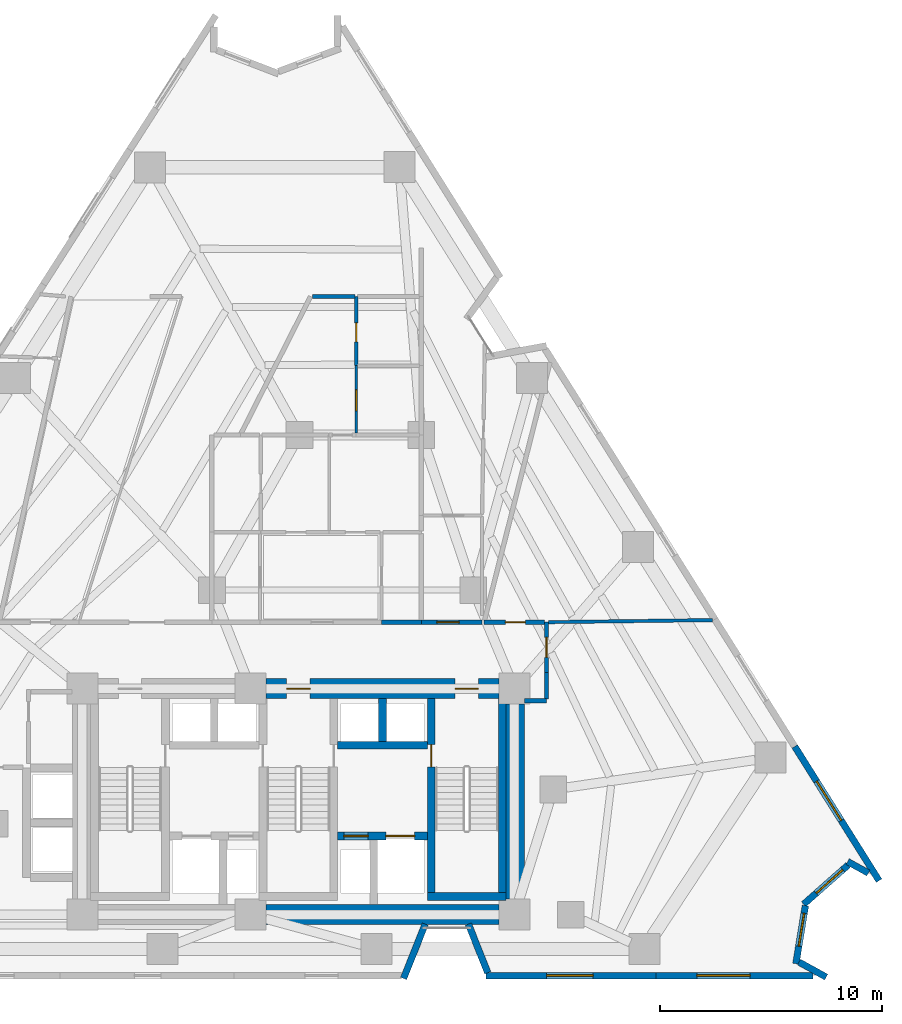
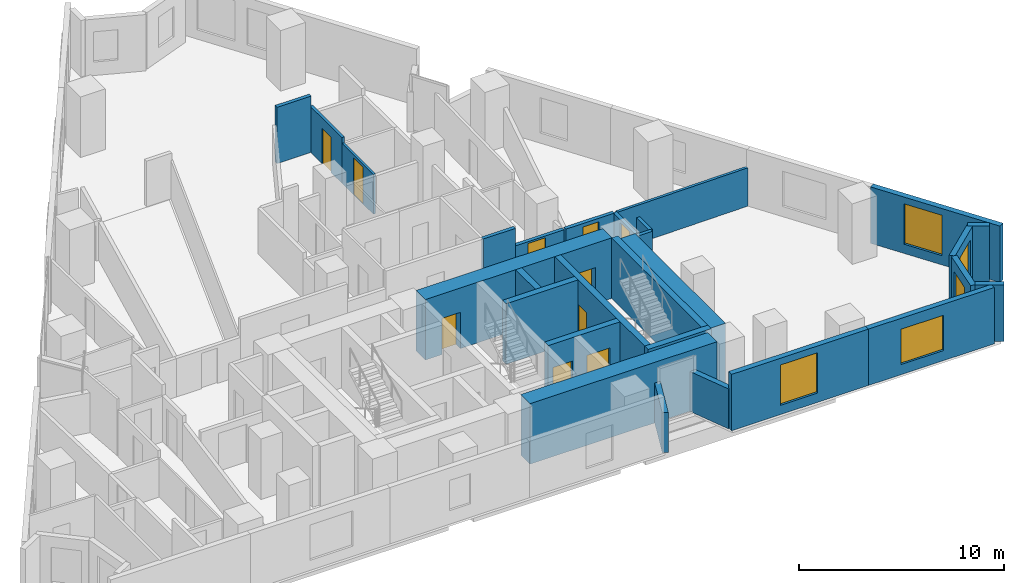
# One storey, part 9 of 14: 28 walls, 10 doors, 5 windows, 15 openings.
"""IFC4 building model written with IfcOpenShell, lengths in metres."""

from ifc_helpers import new_model, si_unit, direction, frame, frame_2d, origin, place, context, subcontext, project, spatial, rectangle, extrude, material, layer, layer_set, type_object, element, fill, save


model = new_model("IFC4")

# Units and contexts
model_context = context("Model", 3, precision=1e-05, world=origin(), true_north=direction((0.0, 1.0)))
body_context = subcontext(model_context, "Body", "Model", "MODEL_VIEW")
ifc_project = project(units=[si_unit("LENGTHUNIT", "METRE"), si_unit("AREAUNIT", "SQUARE_METRE"), si_unit("VOLUMEUNIT", "CUBIC_METRE"), si_unit("PLANEANGLEUNIT", "RADIAN"), si_unit("MASSUNIT", "GRAM", prefix="KILO")], contexts=[model_context])

# Site, building, storey
site_placement = place(None, origin())
site = spatial("IfcSite", under=ifc_project, at=site_placement, CompositionType="ELEMENT")
building_placement = place(site_placement, origin())
building = spatial("IfcBuilding", under=site, at=building_placement, Name="Almagre Mirador Tower", CompositionType="ELEMENT")
storey_placement = place(building_placement, frame((0.0, 0.0, 60.60009765625)))
storey = spatial("IfcBuildingStorey", under=building, at=storey_placement, Name="L14", CompositionType="ELEMENT", Elevation=60.60009765625)

# Wall, opening, window
ifc_material_1 = material(Name="Precast concrete C50/60", Category="concrete")
ifc_layer_1 = layer(ifc_material_1, 0.300048828125)
ifc_layer_set_1 = layer_set([ifc_layer_1], Name="Precast concrete C50/60")
wall_type_1 = type_object("IfcWallType", Name="WAL-EXT-300", PredefinedType="SOLIDWALL", material=ifc_layer_set_1)
wall_1_placement = place(storey_placement, frame((59.703125, 12.142578125, 0.0), z_axis=(0.0, 0.0, 1.0), x_axis=(0.531917824745, -0.846795977623, 0.0)))
wall_1 = element("IfcWall", 1, at=wall_1_placement, inside=storey, type_object=wall_type_1, Name="L14 expressed almagre precast frame wall 17", PredefinedType="SOLIDWALL", context=body_context, shape_type="SweptSolid", body=[
    extrude(rectangle(XDim=7.154052734375, YDim=0.300048828125, at=frame_2d((3.5771484375, 0.0))), origin(), (0.0, 0.0, 1.0), 3.349853515625),
])
opening_1_placement = place(wall_1_placement, frame((1.85009765625, 0.0, 0.550048828125)))
opening_1 = element("IfcOpeningElement", 2, at=opening_1_placement, cuts=wall_1, Name="Opening WN-05", PredefinedType="OPENING", context=body_context, shape_type="SweptSolid", body=[
    extrude(rectangle(XDim=2.10009765625, YDim=2.39990234375, at=frame_2d((1.050048828125, 1.199951171875))), frame((0.0, 0.159902, 0.0), z_axis=(0.0, -1.0, 0.0), x_axis=(1.0, 0.0, 0.0)), (0.0, 0.0, 1.0), 0.320049),
])
ifc_material_2 = material(Name="Dark solar-control laminated hurricane glass", Category="glass")
window_type_1 = type_object("IfcWindowType", Name="WIN-2100X2400", PartitioningType="DOUBLE_PANEL_VERTICAL", PredefinedType="WINDOW", material=ifc_material_2)
window_1_placement = place(opening_1_placement, origin())
window_1 = element("IfcWindow", 3, at=window_1_placement, inside=storey, type_object=window_type_1, Name="L14 recessed hurricane window L14-RST-E", OverallHeight=2.39990234375, OverallWidth=2.10009765625, PartitioningType="SINGLE_PANEL", PredefinedType="WINDOW", context=body_context, shape_type="SweptSolid", body=[
    extrude(rectangle(XDim=2.10009765625, YDim=2.39990234375, at=frame_2d((1.050048828125, 1.199951171875))), frame((0.0, 0.030029296875, 0.0), z_axis=(0.0, -1.0, 0.0), x_axis=(1.0, 0.0, 0.0)), (0.0, 0.0, 1.0), 0.06005859375),
])
fill(opening_1, window_1)

# Wall
wall_2_placement = place(storey_placement, frame((63.027099609375, 6.427978515625, 0.0), z_axis=(0.0, 0.0, 1.0), x_axis=(-0.875134767643, 0.483879260211, 0.0)))
element("IfcWall", 4, at=wall_2_placement, inside=storey, type_object=wall_type_1, Name="L14 expressed almagre precast frame wall 18", PredefinedType="SOLIDWALL", context=body_context, shape_type="SweptSolid", body=[
    extrude(rectangle(XDim=1.070068359375, YDim=0.300048828125, at=frame_2d((0.53515625, 0.0))), origin(), (0.0, 0.0, 1.0), 3.349853515625),
])

# Wall, opening, window
wall_3_placement = place(storey_placement, frame((62.11181640625, 6.788818359375, 0.0), z_axis=(0.0, 0.0, 1.0), x_axis=(-0.749880449764, -0.661573360303, 0.0)))
wall_3 = element("IfcWall", 5, at=wall_3_placement, inside=storey, type_object=wall_type_1, Name="L14 expressed almagre precast frame wall 19", PredefinedType="SOLIDWALL", context=body_context, shape_type="SweptSolid", body=[
    extrude(rectangle(XDim=2.67626953125, YDim=0.300048828125, at=frame_2d((1.338134765625, 0.0))), origin(), (0.0, 0.0, 1.0), 3.349853515625),
])
opening_2_placement = place(wall_3_placement, frame((0.324951171875, 0.0, 0.550048828125)))
opening_2 = element("IfcOpeningElement", 6, at=opening_2_placement, cuts=wall_3, Name="Opening WN-06", PredefinedType="OPENING", context=body_context, shape_type="SweptSolid", body=[
    extrude(rectangle(XDim=1.60009765625, YDim=2.199951171875, at=frame_2d((0.800048828125, 1.10009765625))), frame((0.0, 0.159902, 0.0), z_axis=(0.0, -1.0, 0.0), x_axis=(1.0, 0.0, 0.0)), (0.0, 0.0, 1.0), 0.320049),
])
ifc_material_3 = material(Name="Dark solar-control laminated hurricane glass", Category="glass")
window_type_2 = type_object("IfcWindowType", Name="WIN-1600X2200", PartitioningType="DOUBLE_PANEL_VERTICAL", PredefinedType="WINDOW", material=ifc_material_3)
window_2_placement = place(opening_2_placement, origin())
window_2 = element("IfcWindow", 7, at=window_2_placement, inside=storey, type_object=window_type_2, Name="L14 recessed hurricane window L14-RST-E", OverallHeight=2.199951171875, OverallWidth=1.60009765625, PartitioningType="SINGLE_PANEL", PredefinedType="WINDOW", context=body_context, shape_type="SweptSolid", body=[
    extrude(rectangle(XDim=1.60009765625, YDim=2.199951171875, at=frame_2d((0.800048828125, 1.10009765625))), frame((0.0, 0.030029296875, 0.0), z_axis=(0.0, -1.0, 0.0), x_axis=(1.0, 0.0, 0.0)), (0.0, 0.0, 1.0), 0.06005859375),
])
fill(opening_2, window_2)

wall_4_placement = place(storey_placement, frame((60.18505859375, 4.9580078125, 0.0), z_axis=(0.0, 0.0, 1.0), x_axis=(-0.16141694699, -0.986886300049, 0.0)))
wall_4 = element("IfcWall", 8, at=wall_4_placement, inside=storey, type_object=wall_type_1, Name="L14 expressed almagre precast frame wall 20", PredefinedType="SOLIDWALL", context=body_context, shape_type="SweptSolid", body=[
    extrude(rectangle(XDim=2.656005859375, YDim=0.300048828125, at=frame_2d((1.328125, 0.0))), origin(), (0.0, 0.0, 1.0), 3.349853515625),
])
opening_3_placement = place(wall_4_placement, frame((0.35498046875, 0.0, 0.60009765625)))
opening_3 = element("IfcOpeningElement", 9, at=opening_3_placement, cuts=wall_4, Name="Opening WN-03", PredefinedType="OPENING", context=body_context, shape_type="SweptSolid", body=[
    extrude(rectangle(XDim=1.5, YDim=2.10009765625, at=frame_2d((0.75, 1.050048828125))), frame((0.0, 0.159902, 0.0), z_axis=(0.0, -1.0, 0.0), x_axis=(1.0, 0.0, 0.0)), (0.0, 0.0, 1.0), 0.320049),
])
ifc_material_4 = material(Name="Dark solar-control laminated hurricane glass", Category="glass")
window_type_3 = type_object("IfcWindowType", Name="WIN-1500X2100", PartitioningType="DOUBLE_PANEL_VERTICAL", PredefinedType="WINDOW", material=ifc_material_4)
window_3_placement = place(opening_3_placement, origin())
window_3 = element("IfcWindow", 10, at=window_3_placement, inside=storey, type_object=window_type_3, Name="L14 recessed hurricane window L14-RST-E", OverallHeight=2.10009765625, OverallWidth=1.5, PartitioningType="SINGLE_PANEL", PredefinedType="WINDOW", context=body_context, shape_type="SweptSolid", body=[
    extrude(rectangle(XDim=1.5, YDim=2.10009765625, at=frame_2d((0.75, 1.050048828125))), frame((0.0, 0.030029296875, 0.0), z_axis=(0.0, -1.0, 0.0), x_axis=(1.0, 0.0, 0.0)), (0.0, 0.0, 1.0), 0.06005859375),
])
fill(opening_3, window_3)

# Wall
wall_5_placement = place(storey_placement, frame((59.897216796875, 2.40966796875, 0.0), z_axis=(0.0, 0.0, 1.0), x_axis=(0.875216279123, -0.483731810777, 0.0)))
element("IfcWall", 11, at=wall_5_placement, inside=storey, type_object=wall_type_1, Name="L14 expressed almagre precast frame wall 21", PredefinedType="SOLIDWALL", context=body_context, shape_type="SweptSolid", body=[
    extrude(rectangle(XDim=1.400146484375, YDim=0.300048828125, at=frame_2d((0.7001953125, 0.0))), origin(), (0.0, 0.0, 1.0), 3.349853515625),
])

# Wall, opening, window
wall_6_placement = place(storey_placement, frame((60.534912109375, 1.800048828125, 0.0), z_axis=(0.0, 0.0, 1.0), x_axis=(-1.0, 0.0, 0.0)))
wall_6 = element("IfcWall", 12, at=wall_6_placement, inside=storey, type_object=wall_type_1, Name="L14 expressed almagre precast frame wall 22", PredefinedType="SOLIDWALL", context=body_context, shape_type="SweptSolid", body=[
    extrude(rectangle(XDim=7.0849609375, YDim=0.300048828125, at=frame_2d((3.54248046875, 0.0))), origin(), (0.0, 0.0, 1.0), 3.349853515625),
])
opening_4_placement = place(wall_6_placement, frame((2.844970703125, 0.0, 0.60009765625)))
opening_4 = element("IfcOpeningElement", 13, at=opening_4_placement, cuts=wall_6, Name="Opening WN-02", PredefinedType="OPENING", context=body_context, shape_type="SweptSolid", body=[
    extrude(rectangle(XDim=2.39990234375, YDim=2.10009765625, at=frame_2d((1.199951171875, 1.050048828125))), frame((0.0, 0.159902, 0.0), z_axis=(0.0, -1.0, 0.0), x_axis=(1.0, 0.0, 0.0)), (0.0, 0.0, 1.0), 0.320049),
])
ifc_material_5 = material(Name="Dark solar-control laminated hurricane glass", Category="glass")
window_type_4 = type_object("IfcWindowType", Name="WIN-2400X2100", PartitioningType="TRIPLE_PANEL_VERTICAL", PredefinedType="WINDOW", material=ifc_material_5)
window_4_placement = place(opening_4_placement, origin())
window_4 = element("IfcWindow", 14, at=window_4_placement, inside=storey, type_object=window_type_4, Name="L14 recessed hurricane window L14-UC-LV", OverallHeight=2.10009765625, OverallWidth=2.39990234375, PartitioningType="SINGLE_PANEL", PredefinedType="WINDOW", context=body_context, shape_type="SweptSolid", body=[
    extrude(rectangle(XDim=2.39990234375, YDim=2.10009765625, at=frame_2d((1.199951171875, 1.050048828125))), frame((0.0, 0.030029296875, 0.0), z_axis=(0.0, -1.0, 0.0), x_axis=(1.0, 0.0, 0.0)), (0.0, 0.0, 1.0), 0.06005859375),
])
fill(opening_4, window_4)

wall_7_placement = place(storey_placement, frame((53.449951171875, 1.800048828125, 0.0), z_axis=(0.0, 0.0, 1.0), x_axis=(-1.0, 0.0, 0.0)))
wall_7 = element("IfcWall", 15, at=wall_7_placement, inside=storey, type_object=wall_type_1, Name="L14 expressed almagre precast frame wall 23", PredefinedType="SOLIDWALL", context=body_context, shape_type="SweptSolid", body=[
    extrude(rectangle(XDim=7.68994140625, YDim=0.300048828125, at=frame_2d((3.844970703125, 0.0))), origin(), (0.0, 0.0, 1.0), 3.349853515625),
])
opening_5_placement = place(wall_7_placement, frame((2.85009765625, 0.0, 0.550048828125)))
opening_5 = element("IfcOpeningElement", 16, at=opening_5_placement, cuts=wall_7, Name="Opening WN-05", PredefinedType="OPENING", context=body_context, shape_type="SweptSolid", body=[
    extrude(rectangle(XDim=2.10009765625, YDim=2.39990234375, at=frame_2d((1.050048828125, 1.199951171875))), frame((0.0, 0.159902, 0.0), z_axis=(0.0, -1.0, 0.0), x_axis=(1.0, 0.0, 0.0)), (0.0, 0.0, 1.0), 0.320049),
])
window_5_placement = place(opening_5_placement, origin())
window_5 = element("IfcWindow", 17, at=window_5_placement, inside=storey, type_object=window_type_1, Name="L14 recessed hurricane window L14-UC-MB", OverallHeight=2.39990234375, OverallWidth=2.10009765625, PartitioningType="SINGLE_PANEL", PredefinedType="WINDOW", context=body_context, shape_type="SweptSolid", body=[
    extrude(rectangle(XDim=2.10009765625, YDim=2.39990234375, at=frame_2d((1.050048828125, 1.199951171875))), frame((0.0, 0.030029296875, 0.0), z_axis=(0.0, -1.0, 0.0), x_axis=(1.0, 0.0, 0.0)), (0.0, 0.0, 1.0), 0.06005859375),
])
fill(opening_5, window_5)

# Walls
wall_8_placement = place(storey_placement, frame((45.85009765625, 1.92529296875, 0.0), z_axis=(0.0, 0.0, 1.0), x_axis=(-0.36946923074, 0.92924296475, 0.0)))
element("IfcWall", 18, at=wall_8_placement, inside=storey, type_object=wall_type_1, Name="L14 expressed almagre precast frame wall 24", PredefinedType="SOLIDWALL", context=body_context, shape_type="SweptSolid", body=[
    extrude(rectangle(XDim=2.366943359375, YDim=0.300048828125, at=frame_2d((1.18359375, 0.0))), origin(), (0.0, 0.0, 1.0), 2.375),
])
wall_9_placement = place(storey_placement, frame((43.0244140625, 4.124755859375, 0.0), z_axis=(0.0, 0.0, 1.0), x_axis=(-0.369477840539, -0.929239541426, 0.0)))
element("IfcWall", 19, at=wall_9_placement, inside=storey, type_object=wall_type_1, Name="L14 expressed almagre precast frame wall 25", PredefinedType="SOLIDWALL", context=body_context, shape_type="SweptSolid", body=[
    extrude(rectangle(XDim=2.641845703125, YDim=0.300048828125, at=frame_2d((1.32080078125, 0.0))), origin(), (0.0, 0.0, 1.0), 2.375),
])

# Wall, opening, door
ifc_material_6 = material(Name="Gypsum acoustic stud partition", Category="other")
ifc_layer_2 = layer(ifc_material_6, 0.125)
ifc_layer_set_2 = layer_set([ifc_layer_2], Name="Gypsum acoustic stud partition")
wall_type_2 = type_object("IfcWallType", Name="WAL-PRT-125-UTL", PredefinedType="PARTITIONING", material=ifc_layer_set_2)
wall_10_placement = place(storey_placement, frame((39.909912109375, 26.284912109375, 0.0), z_axis=(0.0, 0.0, 1.0), x_axis=(0.0, 1.0, 0.0)))
wall_10 = element("IfcWall", 20, at=wall_10_placement, inside=storey, type_object=wall_type_2, Name="L14 interior partition 077", PredefinedType="PARTITIONING", context=body_context, shape_type="SweptSolid", body=[
    extrude(rectangle(XDim=3.045166015625, YDim=0.125, at=frame_2d((1.5224609375, 0.0))), origin(), (0.0, 0.0, 1.0), 2.369873046875),
])
opening_6_placement = place(wall_10_placement, frame((1.0048828125, 0.0, 0.0)))
opening_6 = element("IfcOpeningElement", 21, at=opening_6_placement, cuts=wall_10, Name="Opening UD-01", PredefinedType="OPENING", context=body_context, shape_type="SweptSolid", body=[
    extrude(rectangle(XDim=0.949951171875, YDim=2.199951171875, at=frame_2d((0.47509765625, 1.10009765625))), frame((0.0, 0.0725, 0.0), z_axis=(0.0, -1.0, 0.0), x_axis=(1.0, 0.0, 0.0)), (0.0, 0.0, 1.0), 0.145),
])
ifc_material_7 = material(Name="Solid American walnut timber", Category="wood")
door_type_1 = type_object("IfcDoorType", Name="DOR-UNR-950X2200", OperationType="NOTDEFINED", PredefinedType="DOOR", material=ifc_material_7)
door_1_placement = place(opening_6_placement, origin())
door_1 = element("IfcDoor", 22, at=door_1_placement, inside=storey, type_object=door_type_1, Name="DR-0481 L14 interior door L14-UM-ST to L14-UM-KT", OperationType="SINGLE_SWING_RIGHT", OverallHeight=2.199951171875, OverallWidth=0.949951171875, PredefinedType="DOOR", context=body_context, shape_type="SweptSolid", body=[
    extrude(rectangle(XDim=0.949951171875, YDim=2.199951171875, at=frame_2d((0.47509765625, 1.10009765625))), frame((0.0, 0.02490234375, 0.0), z_axis=(0.0, -1.0, 0.0), x_axis=(1.0, 0.0, 0.0)), (0.0, 0.0, 1.0), 0.050048828125),
])
fill(opening_6, door_1)

# Wall
ifc_material_8 = material(Name="Gypsum acoustic stud partition", Category="other")
ifc_layer_3 = layer(ifc_material_8, 0.14990234375)
ifc_layer_set_3 = layer_set([ifc_layer_3], Name="Gypsum acoustic stud partition")
wall_type_3 = type_object("IfcWallType", Name="WAL-PRT-150-STD", PredefinedType="PARTITIONING", material=ifc_layer_set_3)
wall_11_placement = place(storey_placement, frame((55.98193359375, 17.844970703125, 0.0), z_axis=(0.0, 0.0, 1.0), x_axis=(-0.999919274462, -0.012706083592, 0.0)))
element("IfcWall", 23, at=wall_11_placement, inside=storey, type_object=wall_type_3, Name="L14 interior partition 040", PredefinedType="PARTITIONING", context=body_context, shape_type="SweptSolid", body=[
    extrude(rectangle(XDim=7.3974609375, YDim=0.14990234375, at=frame_2d((3.69873046875, 0.0))), origin(), (0.0, 0.0, 1.0), 2.27880859375),
])

# Wall, opening, door
wall_12_placement = place(storey_placement, frame((39.909912109375, 29.330078125, 0.0), z_axis=(0.0, 0.0, 1.0), x_axis=(0.0, 1.0, 0.0)))
wall_12 = element("IfcWall", 24, at=wall_12_placement, inside=storey, type_object=wall_type_3, Name="L14 interior partition 078", PredefinedType="PARTITIONING", context=body_context, shape_type="SweptSolid", body=[
    extrude(rectangle(XDim=3.119873046875, YDim=0.14990234375, at=frame_2d((1.56005859375, 0.0))), origin(), (0.0, 0.0, 1.0), 2.7119140625),
])
opening_7_placement = place(wall_12_placement, frame((1.076416015625, 0.0, 0.0)))
opening_7 = element("IfcOpeningElement", 25, at=opening_7_placement, cuts=wall_12, Name="Opening UD-04", PredefinedType="OPENING", context=body_context, shape_type="SweptSolid", body=[
    extrude(rectangle(XDim=0.85009765625, YDim=2.10009765625, at=frame_2d((0.425048828125, 1.050048828125))), frame((0.0, 0.084951, 0.0), z_axis=(0.0, -1.0, 0.0), x_axis=(1.0, 0.0, 0.0)), (0.0, 0.0, 1.0), 0.169902),
])
ifc_material_9 = material(Name="Moisture-resistant oak timber", Category="wood")
door_type_2 = type_object("IfcDoorType", Name="DOR-UNR-850X2100", OperationType="NOTDEFINED", PredefinedType="DOOR", material=ifc_material_9)
door_2_placement = place(opening_7_placement, origin())
door_2 = element("IfcDoor", 26, at=door_2_placement, inside=storey, type_object=door_type_2, Name="DR-0482 L14 interior door L14-UM-ST to L14-UM-BT", OperationType="SINGLE_SWING_LEFT", OverallHeight=2.10009765625, OverallWidth=0.85009765625, PredefinedType="DOOR", context=body_context, shape_type="SweptSolid", body=[
    extrude(rectangle(XDim=0.85009765625, YDim=2.10009765625, at=frame_2d((0.425048828125, 1.050048828125))), frame((0.0, 0.02490234375, 0.0), z_axis=(0.0, -1.0, 0.0), x_axis=(1.0, 0.0, 0.0)), (0.0, 0.0, 1.0), 0.050048828125),
])
fill(opening_7, door_2)

# Wall
ifc_material_10 = material(Name="Gypsum acoustic stud partition", Category="other")
ifc_layer_4 = layer(ifc_material_10, 0.199951171875)
ifc_layer_set_4 = layer_set([ifc_layer_4], Name="Gypsum acoustic stud partition")
wall_type_4 = type_object("IfcWallType", Name="WAL-PRT-200-EI60", PredefinedType="PARTITIONING", material=ifc_layer_set_4)
wall_13_placement = place(storey_placement, frame((47.5, 14.199951171875, 0.0), z_axis=(0.0, 0.0, 1.0), x_axis=(1.0, 0.0, 0.0)))
element("IfcWall", 27, at=wall_13_placement, inside=storey, type_object=wall_type_4, Name="L14 interior partition 003", PredefinedType="PARTITIONING", context=body_context, shape_type="SweptSolid", body=[
    extrude(rectangle(XDim=1.0, YDim=0.199951171875, at=frame_2d((0.5, 0.0))), origin(), (0.0, 0.0, 1.0), 3.349853515625),
])

# Wall, opening, door
wall_14_placement = place(storey_placement, frame((48.5, 15.47998046875, 0.0), z_axis=(0.0, 0.0, 1.0), x_axis=(0.0, 1.0, 0.0)))
wall_14 = element("IfcWall", 28, at=wall_14_placement, inside=storey, type_object=wall_type_4, Name="L14 interior partition 007", PredefinedType="PARTITIONING", context=body_context, shape_type="SweptSolid", body=[
    extrude(rectangle(XDim=2.27001953125, YDim=0.199951171875, at=frame_2d((1.135009765625, 0.0))), origin(), (0.0, 0.0, 1.0), 2.27880859375),
])
opening_8_placement = place(wall_14_placement, frame((0.68505859375, 0.0, 0.0)))
opening_8 = element("IfcOpeningElement", 29, at=opening_8_placement, cuts=wall_14, Name="Opening ID-03", PredefinedType="OPENING", context=body_context, shape_type="SweptSolid", body=[
    extrude(rectangle(XDim=0.89990234375, YDim=2.10009765625, at=frame_2d((0.449951171875, 1.050048828125))), frame((0.0, 0.110098, 0.0), z_axis=(0.0, -1.0, 0.0), x_axis=(1.0, 0.0, 0.0)), (0.0, 0.0, 1.0), 0.219951),
])
ifc_material_11 = material(Name="Fire-rated hollow steel", Category="steel")
door_type_3 = type_object("IfcDoorType", Name="DOR-FD60-900X2100", OperationType="NOTDEFINED", PredefinedType="DOOR", material=ifc_material_11)
door_3_placement = place(opening_8_placement, origin())
door_3 = element("IfcDoor", 30, at=door_3_placement, inside=storey, type_object=door_type_3, Name="DR-0458 L14 interior door L14-RCOR to L14-RST-E", OperationType="SINGLE_SWING_RIGHT", OverallHeight=2.10009765625, OverallWidth=0.89990234375, PredefinedType="DOOR", context=body_context, shape_type="SweptSolid", body=[
    extrude(rectangle(XDim=0.89990234375, YDim=2.10009765625, at=frame_2d((0.449951171875, 1.050048828125))), frame((0.0, 0.02490234375, 0.0), z_axis=(0.0, -1.0, 0.0), x_axis=(1.0, 0.0, 0.0)), (0.0, 0.0, 1.0), 0.050048828125),
])
fill(opening_8, door_3)

# Wall
wall_15_placement = place(storey_placement, frame((42.85009765625, 17.75, 0.0), z_axis=(0.0, 0.0, 1.0), x_axis=(-1.0, 0.0, 0.0)))
element("IfcWall", 31, at=wall_15_placement, inside=storey, type_object=wall_type_4, Name="L14 interior partition 013", PredefinedType="PARTITIONING", context=body_context, shape_type="SweptSolid", body=[
    extrude(rectangle(XDim=1.800048828125, YDim=0.199951171875, at=frame_2d((0.89990234375, 0.0))), origin(), (0.0, 0.0, 1.0), 3.349853515625),
])

# Wall, opening, door
wall_16_placement = place(storey_placement, frame((45.590087890625, 17.75, 0.0), z_axis=(0.0, 0.0, 1.0), x_axis=(-1.0, 0.0, 0.0)))
wall_16 = element("IfcWall", 32, at=wall_16_placement, inside=storey, type_object=wall_type_4, Name="L14 interior partition 015", PredefinedType="PARTITIONING", context=body_context, shape_type="SweptSolid", body=[
    extrude(rectangle(XDim=2.739990234375, YDim=0.199951171875, at=frame_2d((1.3701171875, 0.0))), origin(), (0.0, 0.0, 1.0), 2.308837890625),
])
opening_9_placement = place(wall_16_placement, frame((1.03857421875, 0.0, 0.0)))
opening_9 = element("IfcOpeningElement", 33, at=opening_9_placement, cuts=wall_16, Name="Opening ID-01", PredefinedType="OPENING", context=body_context, shape_type="SweptSolid", body=[
    extrude(rectangle(XDim=1.0, YDim=2.199951171875, at=frame_2d((0.5, 1.10009765625))), frame((0.0, 0.110098, 0.0), z_axis=(0.0, -1.0, 0.0), x_axis=(1.0, 0.0, 0.0)), (0.0, 0.0, 1.0), 0.219951),
])
ifc_material_12 = material(Name="Fire-rated walnut timber", Category="wood")
door_type_4 = type_object("IfcDoorType", Name="DOR-FD60-1000X2200", OperationType="NOTDEFINED", PredefinedType="DOOR", material=ifc_material_12)
door_4_placement = place(opening_9_placement, origin())
door_4 = element("IfcDoor", 34, at=door_4_placement, inside=storey, type_object=door_type_4, Name="DR-0478 L14 interior door L14-RCOR to L14-UK-ST", OperationType="SINGLE_SWING_LEFT", OverallHeight=2.199951171875, OverallWidth=1.0, PredefinedType="DOOR", context=body_context, shape_type="SweptSolid", body=[
    extrude(rectangle(XDim=1.0, YDim=2.199951171875, at=frame_2d((0.5, 1.10009765625))), frame((0.0, 0.02490234375, 0.0), z_axis=(0.0, -1.0, 0.0), x_axis=(1.0, 0.0, 0.0)), (0.0, 0.0, 1.0), 0.050048828125),
])
fill(opening_9, door_4)

wall_17_placement = place(storey_placement, frame((48.4150390625, 17.75, 0.0), z_axis=(0.0, 0.0, 1.0), x_axis=(-1.0, 0.0, 0.0)))
wall_17 = element("IfcWall", 35, at=wall_17_placement, inside=storey, type_object=wall_type_4, Name="L14 interior partition 016", PredefinedType="PARTITIONING", context=body_context, shape_type="SweptSolid", body=[
    extrude(rectangle(XDim=2.735107421875, YDim=0.199951171875, at=frame_2d((1.36767578125, 0.0))), origin(), (0.0, 0.0, 1.0), 2.308837890625),
])
opening_10_placement = place(wall_17_placement, frame((0.875, 0.0, 0.0)))
opening_10 = element("IfcOpeningElement", 36, at=opening_10_placement, cuts=wall_17, Name="Opening ID-03", PredefinedType="OPENING", context=body_context, shape_type="SweptSolid", body=[
    extrude(rectangle(XDim=0.89990234375, YDim=2.10009765625, at=frame_2d((0.449951171875, 1.050048828125))), frame((0.0, 0.110098, 0.0), z_axis=(0.0, -1.0, 0.0), x_axis=(1.0, 0.0, 0.0)), (0.0, 0.0, 1.0), 0.219951),
])
door_5_placement = place(opening_10_placement, origin())
door_5 = element("IfcDoor", 37, at=door_5_placement, inside=storey, type_object=door_type_3, Name="DR-0461 L14 interior door L14-RCOR to L14-RST-L", OperationType="SINGLE_SWING_LEFT", OverallHeight=2.10009765625, OverallWidth=0.89990234375, PredefinedType="DOOR", context=body_context, shape_type="SweptSolid", body=[
    extrude(rectangle(XDim=0.89990234375, YDim=2.10009765625, at=frame_2d((0.449951171875, 1.050048828125))), frame((0.0, 0.02490234375, 0.0), z_axis=(0.0, -1.0, 0.0), x_axis=(1.0, 0.0, 0.0)), (0.0, 0.0, 1.0), 0.050048828125),
])
fill(opening_10, door_5)

# Walls
wall_18_placement = place(storey_placement, frame((48.5, 14.284912109375, 0.0), z_axis=(0.0, 0.0, 1.0), x_axis=(0.0, 1.0, 0.0)))
element("IfcWall", 38, at=wall_18_placement, inside=storey, type_object=wall_type_4, Name="L14 interior partition 096", PredefinedType="PARTITIONING", context=body_context, shape_type="SweptSolid", body=[
    extrude(rectangle(XDim=1.195068359375, YDim=0.199951171875, at=frame_2d((0.59765625, 0.0))), origin(), (0.0, 0.0, 1.0), 3.349853515625),
])
wall_19_placement = place(storey_placement, frame((37.93505859375, 32.449951171875, 0.0), z_axis=(0.0, 0.0, 1.0), x_axis=(1.0, 0.0, 0.0)))
element("IfcWall", 39, at=wall_19_placement, inside=storey, type_object=wall_type_4, Name="L14 interior partition 097", PredefinedType="PARTITIONING", context=body_context, shape_type="SweptSolid", body=[
    extrude(rectangle(XDim=1.9150390625, YDim=0.199951171875, at=frame_2d((0.95751953125, 0.0))), origin(), (0.0, 0.0, 1.0), 3.349853515625),
])

# Wall, opening, door
ifc_material_13 = material(Name="Concrete C60/75", Category="concrete")
ifc_layer_5 = layer(ifc_material_13, 0.35009765625)
ifc_layer_set_5 = layer_set([ifc_layer_5], Name="Concrete C60/75")
wall_type_5 = type_object("IfcWallType", Name="WAL-SHF-350", PredefinedType="SOLIDWALL", material=ifc_layer_set_5)
wall_20_placement = place(storey_placement, frame((43.300048828125, 5.199951171875, 0.0), z_axis=(0.0, 0.0, 1.0), x_axis=(0.0, 1.0, 0.0)))
wall_20 = element("IfcWall", 40, at=wall_20_placement, inside=storey, type_object=wall_type_5, Name="L14 shaft wall ST3-W", PredefinedType="SOLIDWALL", context=body_context, shape_type="SweptSolid", body=[
    extrude(rectangle(XDim=9.10009765625, YDim=0.35009765625, at=frame_2d((4.550048828125, 0.0))), origin(), (0.0, 0.0, 1.0), 3.599853515625),
])
opening_11_placement = place(wall_20_placement, frame((6.02001953125, 0.0, 0.0)))
opening_11 = element("IfcOpeningElement", 41, at=opening_11_placement, cuts=wall_20, Name="Opening FD-01", PredefinedType="OPENING", context=body_context, shape_type="SweptSolid", body=[
    extrude(rectangle(XDim=1.0, YDim=2.14990234375, at=frame_2d((0.5, 1.074951171875))), frame((0.0, 0.185049, 0.0), z_axis=(0.0, -1.0, 0.0), x_axis=(1.0, 0.0, 0.0)), (0.0, 0.0, 1.0), 0.370098),
])
ifc_material_14 = material(Name="Fire-rated hollow steel", Category="steel")
door_type_5 = type_object("IfcDoorType", Name="DOR-FFL-1000X2150", OperationType="NOTDEFINED", PredefinedType="DOOR", material=ifc_material_14)
door_6_placement = place(opening_11_placement, origin())
door_6 = element("IfcDoor", 42, at=door_6_placement, inside=storey, type_object=door_type_5, Name="DR-0456 L14 FFL2-ST3 smokeproof door", OperationType="SINGLE_SWING_LEFT", OverallHeight=2.14990234375, OverallWidth=1.0, PredefinedType="DOOR", context=body_context, shape_type="SweptSolid", body=[
    extrude(rectangle(XDim=1.0, YDim=2.14990234375, at=frame_2d((0.5, 1.074951171875))), frame((0.0, 0.02490234375, 0.0), z_axis=(0.0, -1.0, 0.0), x_axis=(1.0, 0.0, 0.0)), (0.0, 0.0, 1.0), 0.050048828125),
])
fill(opening_11, door_6)

# Walls
wall_21_placement = place(storey_placement, frame((46.5, 5.199951171875, 0.0), z_axis=(0.0, 0.0, 1.0), x_axis=(0.0, 1.0, 0.0)))
element("IfcWall", 43, at=wall_21_placement, inside=storey, type_object=wall_type_5, Name="L14 shaft wall ST3-E", PredefinedType="SOLIDWALL", context=body_context, shape_type="SweptSolid", body=[
    extrude(rectangle(XDim=9.10009765625, YDim=0.35009765625, at=frame_2d((4.550048828125, 0.0))), origin(), (0.0, 0.0, 1.0), 3.599853515625),
])
wall_22_placement = place(storey_placement, frame((43.125, 5.375, 0.0), z_axis=(0.0, 0.0, 1.0), x_axis=(1.0, 0.0, 0.0)))
element("IfcWall", 44, at=wall_22_placement, inside=storey, type_object=wall_type_5, Name="L14 shaft wall ST3-S", PredefinedType="SOLIDWALL", context=body_context, shape_type="SweptSolid", body=[
    extrude(rectangle(XDim=3.550048828125, YDim=0.35009765625, at=frame_2d((1.77490234375, 0.0))), origin(), (0.0, 0.0, 1.0), 3.599853515625),
])

# Wall, openings, doors
wall_23_placement = place(storey_placement, frame((39.074951171875, 8.10009765625, 0.0), z_axis=(0.0, 0.0, 1.0), x_axis=(1.0, 0.0, 0.0)))
wall_23 = element("IfcWall", 45, at=wall_23_placement, inside=storey, type_object=wall_type_5, Name="L14 shaft wall FSAE2-N", PredefinedType="SOLIDWALL", context=body_context, shape_type="SweptSolid", body=[
    extrude(rectangle(XDim=4.050048828125, YDim=0.35009765625, at=frame_2d((2.02490234375, 0.0))), origin(), (0.0, 0.0, 1.0), 3.599853515625),
])
opening_12_placement = place(wall_23_placement, frame((2.175048828125, 0.0, 0.0)))
opening_12 = element("IfcOpeningElement", 46, at=opening_12_placement, cuts=wall_23, Name="Opening LD-03", PredefinedType="OPENING", context=body_context, shape_type="SweptSolid", body=[
    extrude(rectangle(XDim=1.300048828125, YDim=2.25, at=frame_2d((0.64990234375, 1.125))), frame((0.0, 0.185049, 0.0), z_axis=(0.0, -1.0, 0.0), x_axis=(1.0, 0.0, 0.0)), (0.0, 0.0, 1.0), 0.370098),
])
opening_13_placement = place(wall_23_placement, frame((0.27490234375, 0.0, 0.0)))
opening_13 = element("IfcOpeningElement", 47, at=opening_13_placement, cuts=wall_23, Name="Opening LD-01", PredefinedType="OPENING", context=body_context, shape_type="SweptSolid", body=[
    extrude(rectangle(XDim=1.10009765625, YDim=2.199951171875, at=frame_2d((0.550048828125, 1.10009765625))), frame((0.0, 0.185049, 0.0), z_axis=(0.0, -1.0, 0.0), x_axis=(1.0, 0.0, 0.0)), (0.0, 0.0, 1.0), 0.370098),
])
ifc_material_15 = material(Name="Hollow stainless steel", Category="steel")
door_type_6 = type_object("IfcDoorType", Name="DOR-LD-1100X2200", OperationType="DOUBLE_DOOR_SLIDING", PredefinedType="DOOR", material=ifc_material_15)
door_7_placement = place(opening_13_placement, origin())
door_7 = element("IfcDoor", 48, at=door_7_placement, inside=storey, type_object=door_type_6, Name="DR-0489 L14 PL-L2 lift landing door", OperationType="DOUBLE_DOOR_SLIDING", OverallHeight=2.199951171875, OverallWidth=1.10009765625, PredefinedType="DOOR", context=body_context, shape_type="SweptSolid", body=[
    extrude(rectangle(XDim=1.10009765625, YDim=2.199951171875, at=frame_2d((0.550048828125, 1.10009765625))), frame((0.0, 0.02490234375, 0.0), z_axis=(0.0, -1.0, 0.0), x_axis=(1.0, 0.0, 0.0)), (0.0, 0.0, 1.0), 0.050048828125),
])
fill(opening_13, door_7)
ifc_material_16 = material(Name="Hollow stainless steel", Category="steel")
door_type_7 = type_object("IfcDoorType", Name="DOR-LD-1300X2250", OperationType="DOUBLE_DOOR_SLIDING", PredefinedType="DOOR", material=ifc_material_16)
door_8_placement = place(opening_12_placement, origin())
door_8 = element("IfcDoor", 49, at=door_8_placement, inside=storey, type_object=door_type_7, Name="DR-0487 L14 FSAE-2 lift landing door", OperationType="DOUBLE_DOOR_SLIDING", OverallHeight=2.25, OverallWidth=1.300048828125, PredefinedType="DOOR", context=body_context, shape_type="SweptSolid", body=[
    extrude(rectangle(XDim=1.300048828125, YDim=2.25, at=frame_2d((0.64990234375, 1.125))), frame((0.0, 0.02490234375, 0.0), z_axis=(0.0, -1.0, 0.0), x_axis=(1.0, 0.0, 0.0)), (0.0, 0.0, 1.0), 0.050048828125),
])
fill(opening_12, door_8)

# Walls
wall_24_placement = place(storey_placement, frame((39.074951171875, 12.199951171875, 0.0), z_axis=(0.0, 0.0, 1.0), x_axis=(1.0, 0.0, 0.0)))
element("IfcWall", 50, at=wall_24_placement, inside=storey, type_object=wall_type_5, Name="L14 shaft wall PLH-S", PredefinedType="SOLIDWALL", context=body_context, shape_type="SweptSolid", body=[
    extrude(rectangle(XDim=4.050048828125, YDim=0.35009765625, at=frame_2d((2.02490234375, 0.0))), origin(), (0.0, 0.0, 1.0), 3.599853515625),
])
wall_25_placement = place(storey_placement, frame((41.10009765625, 12.375, 0.0), z_axis=(0.0, 0.0, 1.0), x_axis=(0.0, 1.0, 0.0)))
element("IfcWall", 51, at=wall_25_placement, inside=storey, type_object=wall_type_5, Name="L14 shaft wall PLH-M", PredefinedType="SOLIDWALL", context=body_context, shape_type="SweptSolid", body=[
    extrude(rectangle(XDim=1.925048828125, YDim=0.35009765625, at=frame_2d((0.96240234375, 0.0))), origin(), (0.0, 0.0, 1.0), 3.599853515625),
])
ifc_material_17 = material(Name="Concrete C70/85", Category="concrete")
ifc_layer_6 = layer(ifc_material_17, 0.89990234375)
ifc_layer_set_6 = layer_set([ifc_layer_6], Name="Concrete C70/85")
wall_type_6 = type_object("IfcWallType", Name="WAL-SHR-900", PredefinedType="SHEAR", material=ifc_layer_set_6)
wall_26_placement = place(storey_placement, frame((35.85009765625, 4.550048828125, 0.0), z_axis=(0.0, 0.0, 1.0), x_axis=(1.0, 0.0, 0.0)))
element("IfcWall", 52, at=wall_26_placement, inside=storey, type_object=wall_type_6, Name="L14 core shear wall S2", PredefinedType="SHEAR", context=body_context, shape_type="SweptSolid", body=[
    extrude(rectangle(XDim=10.5, YDim=0.89990234375, at=frame_2d((5.25, 0.0))), origin(), (0.0, 0.0, 1.0), 3.599853515625),
])

# Wall, openings, doors
wall_27_placement = place(storey_placement, frame((35.85009765625, 14.75, 0.0), z_axis=(0.0, 0.0, 1.0), x_axis=(1.0, 0.0, 0.0)))
wall_27 = element("IfcWall", 53, at=wall_27_placement, inside=storey, type_object=wall_type_6, Name="L14 core shear wall N2", PredefinedType="SHEAR", context=body_context, shape_type="SweptSolid", body=[
    extrude(rectangle(XDim=10.5, YDim=0.89990234375, at=frame_2d((5.25, 0.0))), origin(), (0.0, 0.0, 1.0), 3.599853515625),
])
opening_14_placement = place(wall_27_placement, frame((0.925048828125, 0.0, 0.0)))
opening_14 = element("IfcOpeningElement", 54, at=opening_14_placement, cuts=wall_27, Name="Opening SD-01", PredefinedType="OPENING", context=body_context, shape_type="SweptSolid", body=[
    extrude(rectangle(XDim=1.050048828125, YDim=2.14990234375, at=frame_2d((0.52490234375, 1.074951171875))), frame((0.0, 0.459951, 0.0), z_axis=(0.0, -1.0, 0.0), x_axis=(1.0, 0.0, 0.0)), (0.0, 0.0, 1.0), 0.919902),
])
opening_15_placement = place(wall_27_placement, frame((8.52490234375, 0.0, 0.0)))
opening_15 = element("IfcOpeningElement", 55, at=opening_15_placement, cuts=wall_27, Name="Opening SD-01", PredefinedType="OPENING", context=body_context, shape_type="SweptSolid", body=[
    extrude(rectangle(XDim=1.050048828125, YDim=2.14990234375, at=frame_2d((0.52490234375, 1.074951171875))), frame((0.0, 0.459951, 0.0), z_axis=(0.0, -1.0, 0.0), x_axis=(1.0, 0.0, 0.0)), (0.0, 0.0, 1.0), 0.919902),
])
ifc_material_18 = material(Name="Fire-rated hollow steel", Category="steel")
door_type_8 = type_object("IfcDoorType", Name="DOR-ST-1050X2150", OperationType="NOTDEFINED", PredefinedType="DOOR", material=ifc_material_18)
door_9_placement = place(opening_14_placement, origin())
door_9 = element("IfcDoor", 56, at=door_9_placement, inside=storey, type_object=door_type_8, Name="DR-0491 L14 protected exit stair ST-2 door", OperationType="SINGLE_SWING_RIGHT", OverallHeight=2.14990234375, OverallWidth=1.050048828125, PredefinedType="DOOR", context=body_context, shape_type="SweptSolid", body=[
    extrude(rectangle(XDim=1.050048828125, YDim=2.14990234375, at=frame_2d((0.52490234375, 1.074951171875))), frame((0.0, 0.02490234375, 0.0), z_axis=(0.0, -1.0, 0.0), x_axis=(1.0, 0.0, 0.0)), (0.0, 0.0, 1.0), 0.050048828125),
])
fill(opening_14, door_9)
door_10_placement = place(opening_15_placement, origin())
door_10 = element("IfcDoor", 57, at=door_10_placement, inside=storey, type_object=door_type_8, Name="DR-0492 L14 protected exit stair ST-3 door", OperationType="SINGLE_SWING_LEFT", OverallHeight=2.14990234375, OverallWidth=1.050048828125, PredefinedType="DOOR", context=body_context, shape_type="SweptSolid", body=[
    extrude(rectangle(XDim=1.050048828125, YDim=2.14990234375, at=frame_2d((0.52490234375, 1.074951171875))), frame((0.0, 0.02490234375, 0.0), z_axis=(0.0, -1.0, 0.0), x_axis=(1.0, 0.0, 0.0)), (0.0, 0.0, 1.0), 0.050048828125),
])
fill(opening_15, door_10)

# Wall
wall_28_placement = place(storey_placement, frame((47.050048828125, 5.25, 0.0), z_axis=(0.0, 0.0, 1.0), x_axis=(0.0, 1.0, 0.0)))
element("IfcWall", 58, at=wall_28_placement, inside=storey, type_object=wall_type_6, Name="L14 core shear wall E1", PredefinedType="SHEAR", context=body_context, shape_type="SweptSolid", body=[
    extrude(rectangle(XDim=8.800048828125, YDim=0.89990234375, at=frame_2d((4.39990234375, 0.0))), origin(), (0.0, 0.0, 1.0), 3.599853515625),
])

save(model, "model.ifc")
